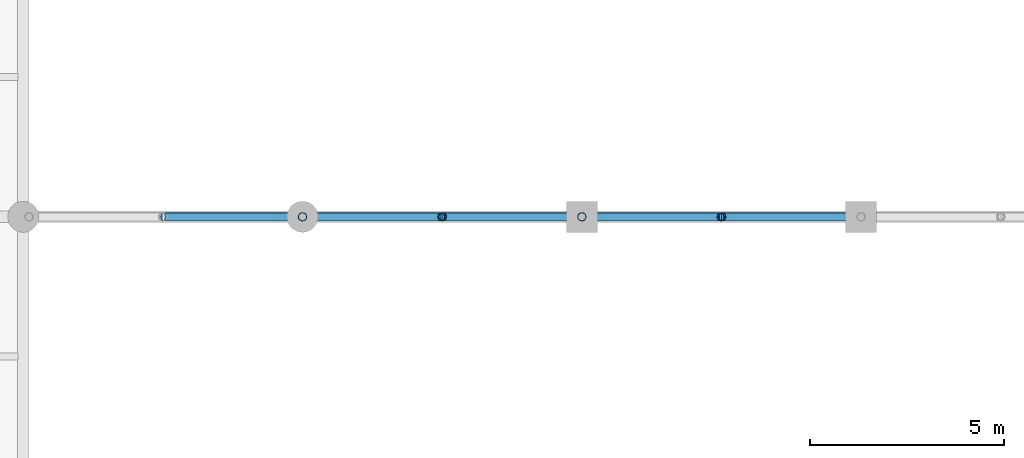
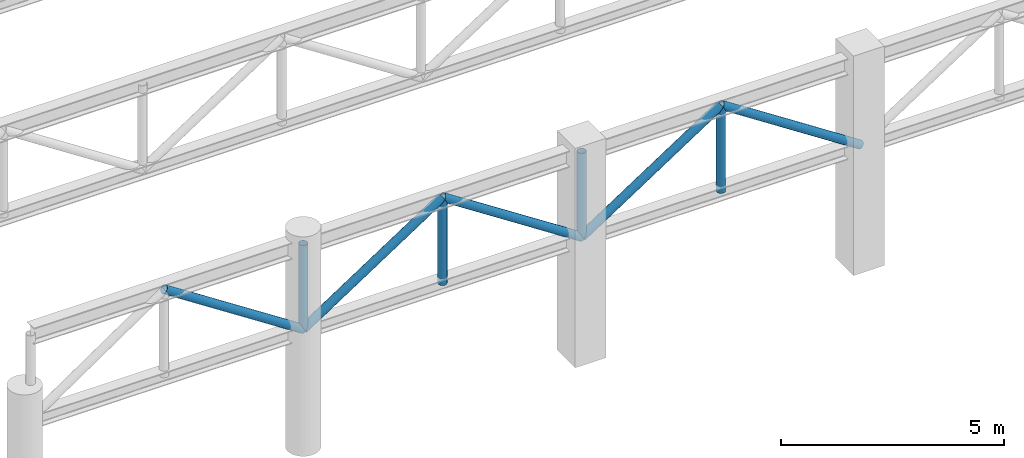
# One storey, part 81 of 153: 9 members.
"""IFC4 building model written with IfcOpenShell, lengths in metres."""

from ifc_helpers import new_model, si_unit, direction, frame, origin, origin_2d, place, context, subcontext, project, spatial, hollow_circle, extrude, material, material_profile, profile_set, type_object, element, save


model = new_model("IFC4")

# Units and contexts
model_context = context("Model", 3, precision=1e-05, world=origin(), true_north=direction((0.0, 1.0)))
body_context = subcontext(model_context, "Body", "Model", "MODEL_VIEW")
ifc_project = project(units=[si_unit("LENGTHUNIT", "METRE"), si_unit("AREAUNIT", "SQUARE_METRE"), si_unit("VOLUMEUNIT", "CUBIC_METRE"), si_unit("PLANEANGLEUNIT", "RADIAN"), si_unit("MASSUNIT", "GRAM", prefix="KILO")], contexts=[model_context])

# Site, building, storey
site_placement = place(None, origin())
site = spatial("IfcSite", under=ifc_project, at=site_placement, CompositionType="ELEMENT")
building_placement = place(site_placement, origin())
building = spatial("IfcBuilding", under=site, at=building_placement, Name="Qandorah Velis Arena", CompositionType="ELEMENT")
storey_placement = place(building_placement, frame((0.0, 0.0, 5.39990234375)))
storey = spatial("IfcBuildingStorey", under=building, at=storey_placement, Name="L01", CompositionType="ELEMENT", Elevation=5.39990234375)

# Members
ifc_material = material(Name="Steel S355", Category="steel")
ifc_material_profile = material_profile(ifc_material, hollow_circle(Radius=0.109619140625, WallThickness=0.010009765625, at=origin_2d()), Name="CHS 219.1x10")
ifc_profile_set = profile_set([ifc_material_profile], Name="Steel S355")
member_type = type_object("IfcMemberType", Name="STR-SFD-CHS219X10", PredefinedType="STRUT", material=ifc_profile_set)
member_1_placement = place(storey_placement, frame((126.0, 93.60009765625, 5.55517578125), z_axis=(0.837375540217, 0.0, -0.546628031339), x_axis=(0.0, 1.0, 0.0)))
element("IfcMember", 1, at=member_1_placement, inside=storey, type_object=member_type, Name="Practice court roof truss 1 web diagonal 2", PredefinedType="STRUT", context=body_context, shape_type="SweptSolid", body=[
    extrude(hollow_circle(Radius=0.109619140625, WallThickness=0.010009765625, at=origin_2d()), origin(), (0.0, 0.0, 1.0), 4.29931640625),
])
member_2_placement = place(storey_placement, frame((129.60009765625, 93.60009765625, 3.205078125), z_axis=(0.0, 0.0, 1.0), x_axis=(1.0, 0.0, 0.0)))
element("IfcMember", 2, at=member_2_placement, inside=storey, type_object=member_type, Name="Practice court roof truss 1 vertical 3", PredefinedType="STRUT", context=body_context, shape_type="SweptSolid", body=[
    extrude(hollow_circle(Radius=0.109619140625, WallThickness=0.010009765625, at=origin_2d()), origin(), (0.0, 0.0, 1.0), 2.35009765625),
])
member_3_placement = place(storey_placement, frame((129.60009765625, 93.60009765625, 3.205078125), z_axis=(0.837358571039, 0.0, 0.54665402542), x_axis=(0.0, 1.0, 0.0)))
element("IfcMember", 3, at=member_3_placement, inside=storey, type_object=member_type, Name="Practice court roof truss 1 web diagonal 3", PredefinedType="STRUT", context=body_context, shape_type="SweptSolid", body=[
    extrude(hollow_circle(Radius=0.109619140625, WallThickness=0.010009765625, at=origin_2d()), origin(), (0.0, 0.0, 1.0), 4.299072265625),
])
member_4_placement = place(storey_placement, frame((133.199951171875, 93.60009765625, 3.205078125), z_axis=(0.0, 0.0, 1.0), x_axis=(1.0, 0.0, 0.0)))
element("IfcMember", 4, at=member_4_placement, inside=storey, type_object=member_type, Name="Practice court roof truss 1 vertical 4", PredefinedType="STRUT", context=body_context, shape_type="SweptSolid", body=[
    extrude(hollow_circle(Radius=0.109619140625, WallThickness=0.010009765625, at=origin_2d()), origin(), (0.0, 0.0, 1.0), 2.35009765625),
])
member_5_placement = place(storey_placement, frame((133.199951171875, 93.60009765625, 5.55517578125), z_axis=(0.837375540217, 0.0, -0.546628031339), x_axis=(0.0, 1.0, 0.0)))
element("IfcMember", 5, at=member_5_placement, inside=storey, type_object=member_type, Name="Practice court roof truss 1 web diagonal 4", PredefinedType="STRUT", context=body_context, shape_type="SweptSolid", body=[
    extrude(hollow_circle(Radius=0.109619140625, WallThickness=0.010009765625, at=origin_2d()), origin(), (0.0, 0.0, 1.0), 4.29931640625),
])
member_6_placement = place(storey_placement, frame((136.800048828125, 93.60009765625, 3.205078125), z_axis=(0.0, 0.0, 1.0), x_axis=(1.0, 0.0, 0.0)))
element("IfcMember", 6, at=member_6_placement, inside=storey, type_object=member_type, Name="Practice court roof truss 1 vertical 5", PredefinedType="STRUT", context=body_context, shape_type="SweptSolid", body=[
    extrude(hollow_circle(Radius=0.109619140625, WallThickness=0.010009765625, at=origin_2d()), origin(), (0.0, 0.0, 1.0), 2.35009765625),
])
member_7_placement = place(storey_placement, frame((136.800048828125, 93.60009765625, 3.205078125), z_axis=(0.837358571039, 0.0, 0.54665402542), x_axis=(0.0, 1.0, 0.0)))
element("IfcMember", 7, at=member_7_placement, inside=storey, type_object=member_type, Name="Practice court roof truss 1 web diagonal 5", PredefinedType="STRUT", context=body_context, shape_type="SweptSolid", body=[
    extrude(hollow_circle(Radius=0.109619140625, WallThickness=0.010009765625, at=origin_2d()), origin(), (0.0, 0.0, 1.0), 4.299072265625),
])
member_8_placement = place(storey_placement, frame((140.39990234375, 93.60009765625, 3.205078125), z_axis=(0.0, 0.0, 1.0), x_axis=(1.0, 0.0, 0.0)))
element("IfcMember", 8, at=member_8_placement, inside=storey, type_object=member_type, Name="Practice court roof truss 1 vertical 6", PredefinedType="STRUT", context=body_context, shape_type="SweptSolid", body=[
    extrude(hollow_circle(Radius=0.109619140625, WallThickness=0.010009765625, at=origin_2d()), origin(), (0.0, 0.0, 1.0), 2.35009765625),
])
member_9_placement = place(storey_placement, frame((140.39990234375, 93.60009765625, 5.55517578125), z_axis=(0.837375540217, 0.0, -0.546628031339), x_axis=(0.0, 1.0, 0.0)))
element("IfcMember", 9, at=member_9_placement, inside=storey, type_object=member_type, Name="Practice court roof truss 1 web diagonal 6", PredefinedType="STRUT", context=body_context, shape_type="SweptSolid", body=[
    extrude(hollow_circle(Radius=0.109619140625, WallThickness=0.010009765625, at=origin_2d()), origin(), (0.0, 0.0, 1.0), 4.29931640625),
])

save(model, "model.ifc")
